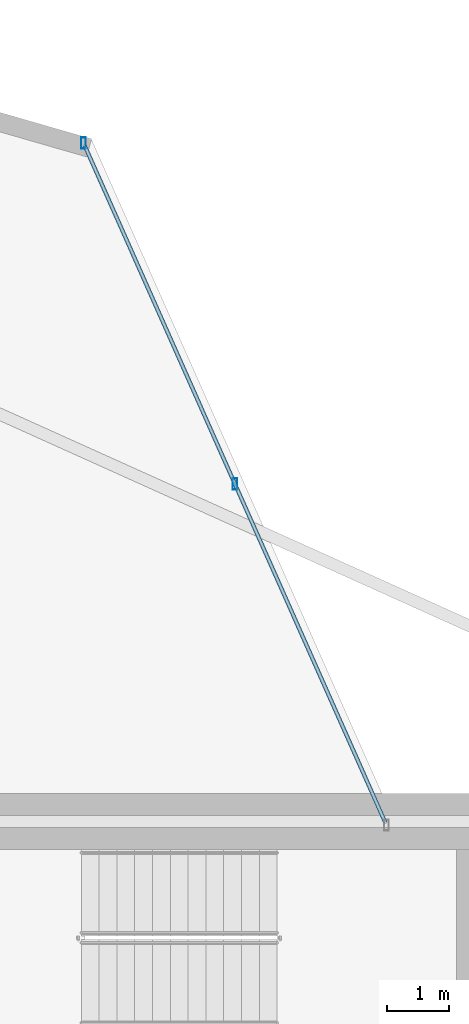
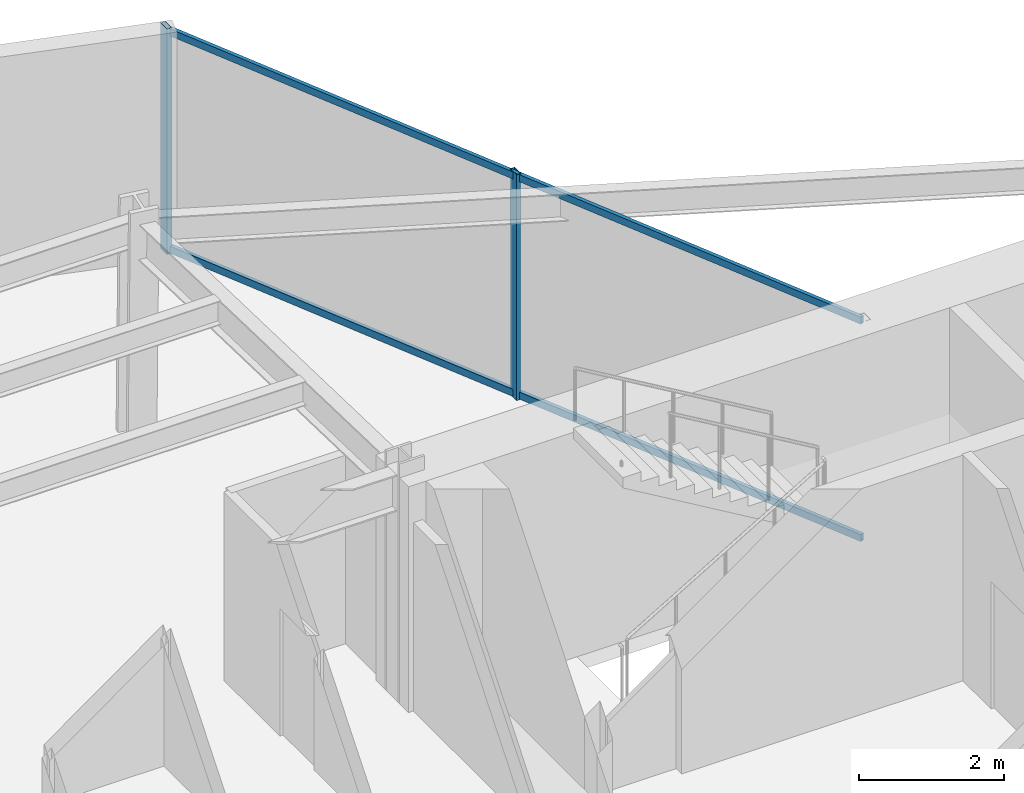
# One storey, part 17 of 24: 4 members, 1 element without a shape of its own.
"""IFC4 building model written with IfcOpenShell, lengths in metres."""

from ifc_helpers import new_model, si_unit, direction, frame, origin, origin_2d, place, context, subcontext, project, spatial, hollow_rectangle, extrude, material, layer, layer_set, material_profile, profile_set, type_object, element, aggregate, save


model = new_model("IFC4")

# Units and contexts
model_context = context("Model", 3, precision=1e-05, world=origin(), true_north=direction((0.0, 1.0)))
body_context = subcontext(model_context, "Body", "Model", "MODEL_VIEW")
ifc_project = project(units=[si_unit("LENGTHUNIT", "METRE"), si_unit("AREAUNIT", "SQUARE_METRE"), si_unit("VOLUMEUNIT", "CUBIC_METRE"), si_unit("PLANEANGLEUNIT", "RADIAN"), si_unit("MASSUNIT", "GRAM", prefix="KILO")], contexts=[model_context])

# Site, building, storey
site_placement = place(None, origin())
site = spatial("IfcSite", under=ifc_project, at=site_placement, CompositionType="ELEMENT")
building_placement = place(site_placement, origin())
building = spatial("IfcBuilding", under=site, at=building_placement, Name="Veymaron Broadcast Tower", CompositionType="ELEMENT")
storey_placement = place(building_placement, frame((0.0, 0.0, 98.550048828125)))
storey = spatial("IfcBuildingStorey", under=building, at=storey_placement, Name="L22", CompositionType="ELEMENT", Elevation=98.550048828125)

# Curtain wall, members
ifc_material_1 = material(Name="Anodised aluminium AA 6063-T6 and laminated low-E dark glass", Category="aluminium")
ifc_layer = layer(ifc_material_1, 0.179931640625)
ifc_layer_set = layer_set([ifc_layer], Name="Anodised aluminium AA 6063-T6 and laminated low-E dark glass")
curtain_wall_type = type_object("IfcCurtainWallType", Name="CW-SYS-02", PredefinedType="NOTDEFINED", material=ifc_layer_set)
curtain_wall_placement = place(storey_placement, origin())
curtain_wall = element("IfcCurtainWall", 1, at=curtain_wall_placement, inside=storey, type_object=curtain_wall_type, Name="L22 dark-glass curtain wall CW-L22-E5-1", PredefinedType="NOTDEFINED")
ifc_material_2 = material(Name="Anodised aluminium AA 6063-T6", Category="aluminium")
ifc_material_profile_1 = material_profile(ifc_material_2, hollow_rectangle(XDim=0.074951171875, YDim=0.179931640625, WallThickness=0.0048828125, at=origin_2d()), Name="AL180X75X5")
ifc_profile_set_1 = profile_set([ifc_material_profile_1], Name="Anodised aluminium AA 6063-T6")
member_type_1 = type_object("IfcMemberType", Name="CW-MUL-02", PredefinedType="MULLION", material=ifc_profile_set_1)
member_1_placement = place(storey_placement, frame((43.890380859375, 37.40625, 0.0), z_axis=(0.0, 0.0, 1.0), x_axis=(1.0, 0.0, 0.0)))
member_1 = element("IfcMember", 2, at=member_1_placement, type_object=member_type_1, Name="CW-L22-E5-1 mullion 1", PredefinedType="MULLION", context=body_context, shape_type="SweptSolid", body=[
    extrude(hollow_rectangle(XDim=0.074951171875, YDim=0.179931640625, WallThickness=0.0048828125, at=origin_2d()), origin(), (0.0, 0.0, 1.0), 3.81005859375),
])
member_2_placement = place(storey_placement, frame((41.464111328125, 42.869140625, 0.0), z_axis=(0.0, 0.0, 1.0), x_axis=(1.0, 0.0, 0.0)))
member_2 = element("IfcMember", 3, at=member_2_placement, type_object=member_type_1, Name="CW-L22-E5-1 mullion 2", PredefinedType="MULLION", context=body_context, shape_type="SweptSolid", body=[
    extrude(hollow_rectangle(XDim=0.074951171875, YDim=0.179931640625, WallThickness=0.0048828125, at=origin_2d()), origin(), (0.0, 0.0, 1.0), 3.81005859375),
])
ifc_material_profile_2 = material_profile(ifc_material_2, hollow_rectangle(XDim=0.06005859375, YDim=0.1201171875, WallThickness=0.00390625, at=origin_2d()), Name="AL120X60X4")
ifc_profile_set_2 = profile_set([ifc_material_profile_2], Name="Anodised aluminium AA 6063-T6")
member_type_2 = type_object("IfcMemberType", Name="CW-TRN-02", PredefinedType="USERDEFINED", material=ifc_profile_set_2)
member_3_placement = place(storey_placement, frame((46.29638671875, 31.989013671875, 0.070068359375), z_axis=(-0.40590533863, 0.913915125201, 0.0), x_axis=(-0.913915125201, -0.40590533863, 0.0)))
member_3 = element("IfcMember", 4, at=member_3_placement, type_object=member_type_2, Name="CW-L22-E5-1 transom B", ObjectType="TRANSOM", PredefinedType="USERDEFINED", context=body_context, shape_type="SweptSolid", body=[
    extrude(hollow_rectangle(XDim=0.06005859375, YDim=0.1201171875, WallThickness=0.00390625, at=origin_2d()), origin(), (0.0, 0.0, 1.0), 11.85498046875),
])
member_4_placement = place(storey_placement, frame((46.29638671875, 31.989013671875, 3.739990234375), z_axis=(-0.40590533863, 0.913915125201, 0.0), x_axis=(-0.913915125201, -0.40590533863, 0.0)))
member_4 = element("IfcMember", 5, at=member_4_placement, type_object=member_type_2, Name="CW-L22-E5-1 transom T", ObjectType="TRANSOM", PredefinedType="USERDEFINED", context=body_context, shape_type="SweptSolid", body=[
    extrude(hollow_rectangle(XDim=0.06005859375, YDim=0.1201171875, WallThickness=0.00390625, at=origin_2d()), origin(), (0.0, 0.0, 1.0), 11.85498046875),
])
aggregate(curtain_wall, [member_1, member_2, member_3, member_4])

save(model, "model.ifc")
